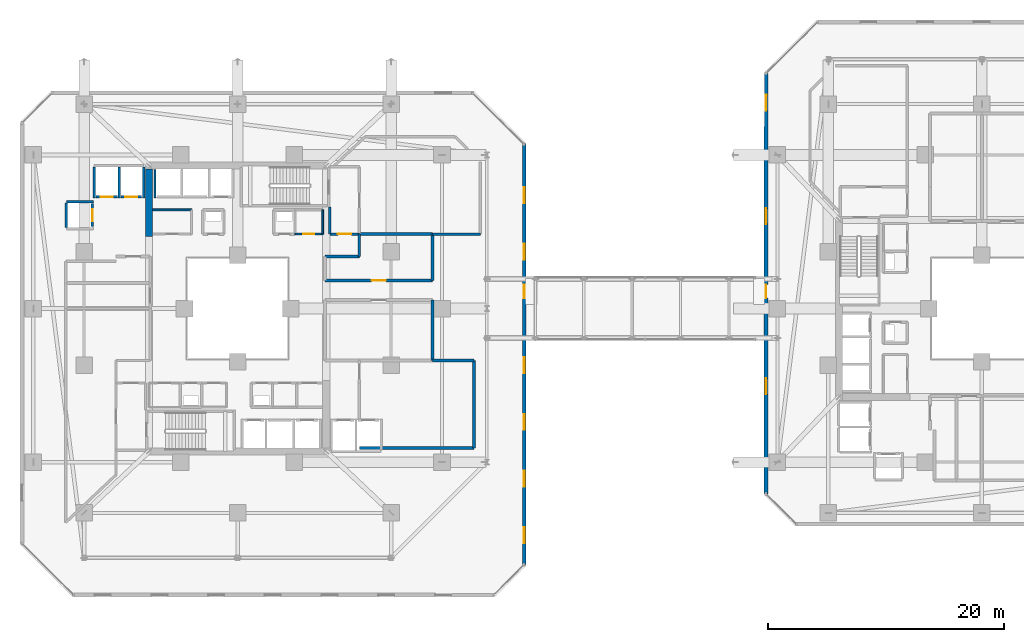
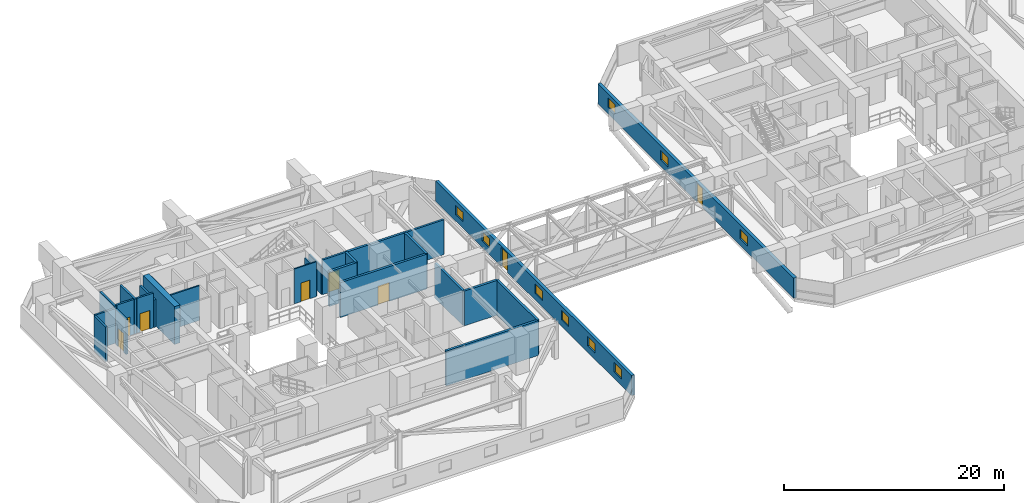
# One storey, part 31 of 38: 27 walls, 9 windows, 8 doors, 17 openings.
"""IFC4 building model written with IfcOpenShell, lengths in metres."""

from ifc_helpers import new_model, si_unit, direction, frame, frame_2d, origin, place, context, subcontext, project, spatial, rectangle, extrude, material, layer, layer_set, type_object, element, fill, save


model = new_model("IFC4")

# Units and contexts
model_context = context("Model", 3, precision=1e-05, world=origin(), true_north=direction((0.0, 1.0)))
body_context = subcontext(model_context, "Body", "Model", "MODEL_VIEW")
ifc_project = project(units=[si_unit("LENGTHUNIT", "METRE"), si_unit("AREAUNIT", "SQUARE_METRE"), si_unit("VOLUMEUNIT", "CUBIC_METRE"), si_unit("PLANEANGLEUNIT", "RADIAN"), si_unit("MASSUNIT", "GRAM", prefix="KILO")], contexts=[model_context])

# Site, building, storey
site_placement = place(None, origin())
site = spatial("IfcSite", under=ifc_project, at=site_placement, CompositionType="ELEMENT")
building_placement = place(site_placement, origin())
building = spatial("IfcBuilding", under=site, at=building_placement, Name="Thornwick Lancets Civic Towers", CompositionType="ELEMENT")
storey_placement = place(building_placement, frame((0.0, 0.0, 71.699951171875)))
storey = spatial("IfcBuildingStorey", under=building, at=storey_placement, Name="L18", CompositionType="ELEMENT", Elevation=71.699951171875)

# Wall, opening, door
ifc_material_1 = material(Name="Concrete blockwork C40/50", Category="masonry")
ifc_layer_1 = layer(ifc_material_1, 0.199951171875, Name="Concrete blockwork C40/50")
ifc_layer_set_1 = layer_set([ifc_layer_1], Name="Concrete blockwork C40/50")
wall_type_1 = type_object("IfcWallType", Name="WALL_COMP_200", PredefinedType="STANDARD", material=ifc_layer_set_1)
wall_1_placement = place(storey_placement, frame((17.3701171875, 36.449951171875, 0.0), z_axis=(0.0, 0.0, 1.0), x_axis=(-1.0, 0.0, 0.0)))
wall_1 = element("IfcWall", 1, at=wall_1_placement, inside=storey, type_object=wall_type_1, Name="L18 Hoistway Front Wall PL-AM1", PredefinedType="STANDARD", context=body_context, shape_type="SweptSolid", body=[
    extrude(rectangle(XDim=1.740234375, YDim=0.199951171875, at=frame_2d((0.8701171875, 0.0))), origin(), (0.0, 0.0, 1.0), 3.860107421875),
])
opening_1_placement = place(wall_1_placement, frame((0.360107421875, 0.0, 0.0)))
opening_1 = element("IfcOpeningElement", 2, at=opening_1_placement, cuts=wall_1, Name="Opening LD-PL-AM1", PredefinedType="OPENING", context=body_context, shape_type="SweptSolid", body=[
    extrude(rectangle(XDim=1.02001953125, YDim=2.06005859375, at=frame_2d((0.510009765625, 1.030029296875))), frame((0.0, 0.10986328125, 0.0), z_axis=(0.0, -1.0, 0.0), x_axis=(1.0, 0.0, 0.0)), (0.0, 0.0, 1.0), 0.219970703125),
])
ifc_material_2 = material(Name="Brushed bronze stainless steel", Category="steel")
door_type_1 = type_object("IfcDoorType", Name="DOOR_LIFT_SLIDE", OperationType="SLIDING_TO_LEFT", PredefinedType="DOOR", material=ifc_material_2)
door_1_placement = place(opening_1_placement, origin())
door_1 = element("IfcDoor", 3, at=door_1_placement, inside=storey, type_object=door_type_1, Name="L18 Sliding Lift Landing Door LD-PL-AM1", OperationType="SLIDING_TO_LEFT", OverallHeight=2.06005859375, OverallWidth=1.02001953125, PredefinedType="DOOR", context=body_context, shape_type="SweptSolid", body=[
    extrude(rectangle(XDim=1.02001953125, YDim=2.06005859375, at=frame_2d((0.510009765625, 1.030029296875))), frame((0.0, 0.02490234375, 0.0), z_axis=(0.0, -1.0, 0.0), x_axis=(1.0, 0.0, 0.0)), (0.0, 0.0, 1.0), 0.050048828125),
])
fill(opening_1, door_1)

wall_2_placement = place(storey_placement, frame((15.320068359375, 36.449951171875, 0.0), z_axis=(0.0, 0.0, 1.0), x_axis=(-1.0, 0.0, 0.0)))
wall_2 = element("IfcWall", 4, at=wall_2_placement, inside=storey, type_object=wall_type_1, Name="L18 Hoistway Front Wall PL-AM2", PredefinedType="STANDARD", context=body_context, shape_type="SweptSolid", body=[
    extrude(rectangle(XDim=1.7900390625, YDim=0.199951171875, at=frame_2d((0.89501953125, 0.0))), origin(), (0.0, 0.0, 1.0), 3.860107421875),
])
opening_2_placement = place(wall_2_placement, frame((0.385009765625, 0.0, 0.0)))
opening_2 = element("IfcOpeningElement", 5, at=opening_2_placement, cuts=wall_2, Name="Opening LD-PL-AM2", PredefinedType="OPENING", context=body_context, shape_type="SweptSolid", body=[
    extrude(rectangle(XDim=1.02001953125, YDim=2.06005859375, at=frame_2d((0.510009765625, 1.030029296875))), frame((0.0, 0.10986328125, 0.0), z_axis=(0.0, -1.0, 0.0), x_axis=(1.0, 0.0, 0.0)), (0.0, 0.0, 1.0), 0.219970703125),
])
door_2_placement = place(opening_2_placement, origin())
door_2 = element("IfcDoor", 6, at=door_2_placement, inside=storey, type_object=door_type_1, Name="L18 Sliding Lift Landing Door LD-PL-AM2", OperationType="SLIDING_TO_LEFT", OverallHeight=2.06005859375, OverallWidth=1.02001953125, PredefinedType="DOOR", context=body_context, shape_type="SweptSolid", body=[
    extrude(rectangle(XDim=1.02001953125, YDim=2.06005859375, at=frame_2d((0.510009765625, 1.030029296875))), frame((0.0, 0.02490234375, 0.0), z_axis=(0.0, -1.0, 0.0), x_axis=(1.0, 0.0, 0.0)), (0.0, 0.0, 1.0), 0.050048828125),
])
fill(opening_2, door_2)

wall_3_placement = place(storey_placement, frame((13.199951171875, 33.929931640625, 0.0), z_axis=(0.0, 0.0, 1.0), x_axis=(0.0, 1.0, 0.0)))
wall_3 = element("IfcWall", 7, at=wall_3_placement, inside=storey, type_object=wall_type_1, Name="L18 Hoistway Front Wall PL-AM3", PredefinedType="STANDARD", context=body_context, shape_type="SweptSolid", body=[
    extrude(rectangle(XDim=1.940185546875, YDim=0.199951171875, at=frame_2d((0.97021484375, 0.0))), origin(), (0.0, 0.0, 1.0), 3.860107421875),
])
opening_3_placement = place(wall_3_placement, frame((0.4599609375, 0.0, 0.0)))
opening_3 = element("IfcOpeningElement", 8, at=opening_3_placement, cuts=wall_3, Name="Opening LD-PL-AM3", PredefinedType="OPENING", context=body_context, shape_type="SweptSolid", body=[
    extrude(rectangle(XDim=1.02001953125, YDim=2.06005859375, at=frame_2d((0.510009765625, 1.030029296875))), frame((0.0, 0.10986328125, 0.0), z_axis=(0.0, -1.0, 0.0), x_axis=(1.0, 0.0, 0.0)), (0.0, 0.0, 1.0), 0.219970703125),
])
door_3_placement = place(opening_3_placement, origin())
door_3 = element("IfcDoor", 9, at=door_3_placement, inside=storey, type_object=door_type_1, Name="L18 Sliding Lift Landing Door LD-PL-AM3", OperationType="SLIDING_TO_LEFT", OverallHeight=2.06005859375, OverallWidth=1.02001953125, PredefinedType="DOOR", context=body_context, shape_type="SweptSolid", body=[
    extrude(rectangle(XDim=1.02001953125, YDim=2.06005859375, at=frame_2d((0.510009765625, 1.030029296875))), frame((0.0, 0.02490234375, 0.0), z_axis=(0.0, -1.0, 0.0), x_axis=(1.0, 0.0, 0.0)), (0.0, 0.0, 1.0), 0.050048828125),
])
fill(opening_3, door_3)

# Walls
wall_4_placement = place(storey_placement, frame((18.5, 36.35205078125, 0.0), z_axis=(0.0, 0.0, 1.0), x_axis=(0.0, 1.0, 0.0)))
element("IfcWall", 10, at=wall_4_placement, inside=storey, type_object=wall_type_1, Name="L18 Hoistway Shaft Wall PL-AH3 W", PredefinedType="STANDARD", context=body_context, shape_type="SweptSolid", body=[
    extrude(rectangle(XDim=2.43603515625, YDim=0.199951171875, at=frame_2d((1.218017578125, 0.0))), origin(), (0.0, 0.0, 1.0), 3.860107421875),
])
wall_5_placement = place(storey_placement, frame((17.550048828125, 36.35205078125, 0.0), z_axis=(0.0, 0.0, 1.0), x_axis=(0.0, 1.0, 0.0)))
element("IfcWall", 11, at=wall_5_placement, inside=storey, type_object=wall_type_1, Name="L18 Hoistway Shaft Wall PL-AM1 E", PredefinedType="STANDARD", context=body_context, shape_type="SweptSolid", body=[
    extrude(rectangle(XDim=2.635986328125, YDim=0.199951171875, at=frame_2d((1.31787109375, 0.0))), origin(), (0.0, 0.0, 1.0), 3.06494140625),
])
for number, where, z_axis, x_axis, name in (
    (12, (15.47509765625, 36.35205078125, 0.0), (0.0, 0.0, 1.0), (0.0, 1.0, 0.0), "L18 Hoistway Shaft Wall PL-AM1 W"),
    (13, (13.35009765625, 36.35205078125, 0.0), (0.0, 0.0, 1.0), (0.0, 1.0, 0.0), "L18 Hoistway Shaft Wall PL-AM2 W"),
):
    element("IfcWall", number, at=place(storey_placement, frame(where, z_axis=z_axis, x_axis=x_axis)), inside=storey, type_object=wall_type_1, Name=name, PredefinedType="STANDARD", context=body_context, shape_type="SweptSolid", body=[
        extrude(rectangle(XDim=2.635986328125, YDim=0.199951171875, at=frame_2d((1.31787109375, 0.0))), origin(), (0.0, 0.0, 1.0), 3.860107421875),
    ])
wall_6_placement = place(storey_placement, frame((11.001953125, 36.050048828125, 0.0), z_axis=(0.0, 0.0, 1.0), x_axis=(1.0, 0.0, 0.0)))
element("IfcWall", 14, at=wall_6_placement, inside=storey, type_object=wall_type_1, Name="L18 Hoistway Shaft Wall PL-AM3 N", PredefinedType="STANDARD", context=body_context, shape_type="SweptSolid", body=[
    extrude(rectangle(XDim=2.296142578125, YDim=0.199951171875, at=frame_2d((1.14794921875, 0.0))), origin(), (0.0, 0.0, 1.0), 3.860107421875),
])
wall_7_placement = place(storey_placement, frame((11.0, 33.862060546875, 0.0), z_axis=(0.0, 0.0, 1.0), x_axis=(0.0, 1.0, 0.0)))
element("IfcWall", 15, at=wall_7_placement, inside=storey, type_object=wall_type_1, Name="L18 Hoistway Shaft Wall PL-AM3 W", PredefinedType="STANDARD", context=body_context, shape_type="SweptSolid", body=[
    extrude(rectangle(XDim=2.075927734375, YDim=0.199951171875, at=frame_2d((1.0380859375, 0.0))), origin(), (0.0, 0.0, 1.0), 3.860107421875),
])

# Wall, opening, door
wall_8_placement = place(storey_placement, frame((33.300048828125, 33.300048828125, 0.0), z_axis=(0.0, 0.0, 1.0), x_axis=(1.0, 0.0, 0.0)))
wall_8 = element("IfcWall", 16, at=wall_8_placement, inside=storey, type_object=wall_type_1, Name="L18 Partition L18-A-FFLOB2 E1", PredefinedType="STANDARD", context=body_context, shape_type="SweptSolid", body=[
    extrude(rectangle(XDim=2.5, YDim=0.199951171875, at=frame_2d((1.25, 0.0))), origin(), (0.0, 0.0, 1.0), 3.860107421875),
])
opening_4_placement = place(wall_8_placement, frame((0.675048828125, 0.0, 0.0)))
opening_4 = element("IfcOpeningElement", 17, at=opening_4_placement, cuts=wall_8, Name="Opening D-L18-0850", PredefinedType="OPENING", context=body_context, shape_type="SweptSolid", body=[
    extrude(rectangle(XDim=1.14990234375, YDim=2.10009765625, at=frame_2d((0.574951171875, 1.050048828125))), frame((0.0, 0.10986328125, 0.0), z_axis=(0.0, -1.0, 0.0), x_axis=(1.0, 0.0, 0.0)), (0.0, 0.0, 1.0), 0.219970703125),
])
ifc_material_3 = material(Name="Glazed fire-resisting steel", Category="steel")
door_type_2 = type_object("IfcDoorType", Name="DOOR_LOBBY_FD60", OperationType="NOTDEFINED", PredefinedType="DOOR", material=ifc_material_3)
door_4_placement = place(opening_4_placement, origin())
door_4 = element("IfcDoor", 18, at=door_4_placement, inside=storey, type_object=door_type_2, Name="L18 North Firefighting Lobby 2 Door", OperationType="SINGLE_SWING_LEFT", OverallHeight=2.10009765625, OverallWidth=1.14990234375, PredefinedType="DOOR", context=body_context, shape_type="SweptSolid", body=[
    extrude(rectangle(XDim=1.14990234375, YDim=2.10009765625, at=frame_2d((0.574951171875, 1.050048828125))), frame((0.0, 0.02490234375, 0.0), z_axis=(0.0, -1.0, 0.0), x_axis=(1.0, 0.0, 0.0)), (0.0, 0.0, 1.0), 0.050048828125),
])
fill(opening_4, door_4)

# Walls
wall_9_placement = place(storey_placement, frame((33.300048828125, 35.60009765625, 0.0), z_axis=(0.0, 0.0, 1.0), x_axis=(0.0, -1.0, 0.0)))
element("IfcWall", 19, at=wall_9_placement, inside=storey, type_object=wall_type_1, Name="L18 Partition L18-A-FFLOB2 E4", PredefinedType="STANDARD", context=body_context, shape_type="SweptSolid", body=[
    extrude(rectangle(XDim=2.300048828125, YDim=0.199951171875, at=frame_2d((1.14990234375, 0.0))), origin(), (0.0, 0.0, 1.0), 3.06494140625),
])
wall_10_placement = place(storey_placement, frame((46.050048828125, 33.300048828125, 0.0), z_axis=(0.0, 0.0, 1.0), x_axis=(-1.0, 0.0, 0.0)))
element("IfcWall", 20, at=wall_10_placement, inside=storey, type_object=wall_type_1, Name="L18 Partition L18-A-REF2 E10", PredefinedType="STANDARD", context=body_context, shape_type="SweptSolid", body=[
    extrude(rectangle(XDim=4.050048828125, YDim=0.199951171875, at=frame_2d((2.02490234375, 0.0))), origin(), (0.0, 0.0, 1.0), 3.860107421875),
])
ifc_layer_2 = layer(ifc_material_1, 0.239990234375, Name="Concrete blockwork C40/50")
ifc_layer_set_2 = layer_set([ifc_layer_2], Name="Concrete blockwork C40/50")
wall_type_2 = type_object("IfcWallType", Name="WALL_COMP_240", PredefinedType="STANDARD", material=ifc_layer_set_2)
wall_11_placement = place(storey_placement, frame((42.0, 27.719970703125, 0.0), z_axis=(0.0, 0.0, 1.0), x_axis=(0.0, -1.0, 0.0)))
element("IfcWall", 21, at=wall_11_placement, inside=storey, type_object=wall_type_2, Name="L18 Partition L18-A-PL-SMK E2", PredefinedType="STANDARD", context=body_context, shape_type="SweptSolid", body=[
    extrude(rectangle(XDim=5.119873046875, YDim=0.239990234375, at=frame_2d((2.56005859375, 0.0))), origin(), (0.0, 0.0, 1.0), 3.860107421875),
])
wall_12_placement = place(storey_placement, frame((32.89990234375, 31.39990234375, 0.0), z_axis=(0.0, 0.0, 1.0), x_axis=(1.0, 0.0, 0.0)))
element("IfcWall", 22, at=wall_12_placement, inside=storey, type_object=wall_type_2, Name="L18 Partition L18-A-PL-PRS E1", PredefinedType="STANDARD", context=body_context, shape_type="SweptSolid", body=[
    extrude(rectangle(XDim=2.900146484375, YDim=0.239990234375, at=frame_2d((1.4501953125, 0.0))), origin(), (0.0, 0.0, 1.0), 3.860107421875),
])
wall_13_placement = place(storey_placement, frame((35.800048828125, 31.39990234375, 0.0), z_axis=(0.0, 0.0, 1.0), x_axis=(0.0, 1.0, 0.0)))
element("IfcWall", 23, at=wall_13_placement, inside=storey, type_object=wall_type_2, Name="L18 Partition L18-A-PL-PRS E2", PredefinedType="STANDARD", context=body_context, shape_type="SweptSolid", body=[
    extrude(rectangle(XDim=1.900146484375, YDim=0.239990234375, at=frame_2d((0.9501953125, 0.0))), origin(), (0.0, 0.0, 1.0), 3.860107421875),
])
wall_14_placement = place(storey_placement, frame((35.800048828125, 33.300048828125, 0.0), z_axis=(0.0, 0.0, 1.0), x_axis=(1.0, 0.0, 0.0)))
element("IfcWall", 24, at=wall_14_placement, inside=storey, type_object=wall_type_2, Name="L18 Partition L18-A-PL-PRS E3", PredefinedType="STANDARD", context=body_context, shape_type="SweptSolid", body=[
    extrude(rectangle(XDim=6.199951171875, YDim=0.239990234375, at=frame_2d((3.10009765625, 0.0))), origin(), (0.0, 0.0, 1.0), 3.860107421875),
])
wall_15_placement = place(storey_placement, frame((42.0, 33.300048828125, 0.0), z_axis=(0.0, 0.0, 1.0), x_axis=(0.0, -1.0, 0.0)))
element("IfcWall", 25, at=wall_15_placement, inside=storey, type_object=wall_type_2, Name="L18 Partition L18-A-PL-PRS E4", PredefinedType="STANDARD", context=body_context, shape_type="SweptSolid", body=[
    extrude(rectangle(XDim=3.920166015625, YDim=0.239990234375, at=frame_2d((1.9599609375, 0.0))), origin(), (0.0, 0.0, 1.0), 3.860107421875),
])

# Wall, opening, door
wall_16_placement = place(storey_placement, frame((42.0, 29.3798828125, 0.0), z_axis=(0.0, 0.0, 1.0), x_axis=(-1.0, 0.0, 0.0)))
wall_16 = element("IfcWall", 26, at=wall_16_placement, inside=storey, type_object=wall_type_2, Name="L18 Partition L18-A-PL-PRS E5", PredefinedType="STANDARD", context=body_context, shape_type="SweptSolid", body=[
    extrude(rectangle(XDim=9.10009765625, YDim=0.239990234375, at=frame_2d((4.550048828125, 0.0))), origin(), (0.0, 0.0, 1.0), 3.860107421875),
])
opening_5_placement = place(wall_16_placement, frame((3.949951171875, 0.0, 0.0)))
opening_5 = element("IfcOpeningElement", 27, at=opening_5_placement, cuts=wall_16, Name="Opening D-L18-0874", PredefinedType="OPENING", context=body_context, shape_type="SweptSolid", body=[
    extrude(rectangle(XDim=1.199951171875, YDim=2.10009765625, at=frame_2d((0.60009765625, 1.050048828125))), frame((0.0, 0.1298828125, 0.0), z_axis=(0.0, -1.0, 0.0), x_axis=(1.0, 0.0, 0.0)), (0.0, 0.0, 1.0), 0.260009765625),
])
ifc_material_4 = material(Name="Steel plant room doorset", Category="steel")
door_type_3 = type_object("IfcDoorType", Name="DOOR_PLANT_1200", OperationType="NOTDEFINED", PredefinedType="DOOR", material=ifc_material_4)
door_5_placement = place(opening_5_placement, origin())
door_5 = element("IfcDoor", 28, at=door_5_placement, inside=storey, type_object=door_type_3, Name="L18 Tower A Pressurisation Air Handling Plant Room Door", OperationType="SINGLE_SWING_LEFT", OverallHeight=2.10009765625, OverallWidth=1.199951171875, PredefinedType="DOOR", context=body_context, shape_type="SweptSolid", body=[
    extrude(rectangle(XDim=1.199951171875, YDim=2.10009765625, at=frame_2d((0.60009765625, 1.050048828125))), frame((0.0, 0.02490234375, 0.0), z_axis=(0.0, -1.0, 0.0), x_axis=(1.0, 0.0, 0.0)), (0.0, 0.0, 1.0), 0.050048828125),
])
fill(opening_5, door_5)

# Walls
wall_17_placement = place(storey_placement, frame((42.0, 22.60009765625, 0.0), z_axis=(0.0, 0.0, 1.0), x_axis=(1.0, 0.0, 0.0)))
element("IfcWall", 29, at=wall_17_placement, inside=storey, type_object=wall_type_2, Name="L18 Partition L18-A-PL-CHL E3", PredefinedType="STANDARD", context=body_context, shape_type="SweptSolid", body=[
    extrude(rectangle(XDim=3.5, YDim=0.239990234375, at=frame_2d((1.75, 0.0))), origin(), (0.0, 0.0, 1.0), 3.860107421875),
])
wall_18_placement = place(storey_placement, frame((45.5, 22.60009765625, 0.0), z_axis=(0.0, 0.0, 1.0), x_axis=(0.0, -1.0, 0.0)))
element("IfcWall", 30, at=wall_18_placement, inside=storey, type_object=wall_type_2, Name="L18 Partition L18-A-PL-CHL E4", PredefinedType="STANDARD", context=body_context, shape_type="SweptSolid", body=[
    extrude(rectangle(XDim=7.400146484375, YDim=0.239990234375, at=frame_2d((3.7001953125, 0.0))), origin(), (0.0, 0.0, 1.0), 3.860107421875),
])
wall_19_placement = place(storey_placement, frame((45.5, 15.199951171875, 0.0), z_axis=(0.0, 0.0, 1.0), x_axis=(-1.0, 0.0, 0.0)))
element("IfcWall", 31, at=wall_19_placement, inside=storey, type_object=wall_type_2, Name="L18 Partition L18-A-PL-CHL E5", PredefinedType="STANDARD", context=body_context, shape_type="SweptSolid", body=[
    extrude(rectangle(XDim=9.699951171875, YDim=0.239990234375, at=frame_2d((4.85009765625, 0.0))), origin(), (0.0, 0.0, 1.0), 3.860107421875),
])
ifc_material_5 = material(Name="Concrete C60/75", Category="concrete")
ifc_layer_3 = layer(ifc_material_5, 0.60009765625, Name="Concrete C60/75")
ifc_layer_set_3 = layer_set([ifc_layer_3], Name="Concrete C60/75")
wall_type_3 = type_object("IfcWallType", Name="WALL_CORE_600", PredefinedType="SHEAR", material=ifc_layer_set_3)
wall_20_placement = place(storey_placement, frame((18.0, 33.10009765625, 0.0), z_axis=(0.0, 0.0, 1.0), x_axis=(0.0, 1.0, 0.0)))
element("IfcWall", 32, at=wall_20_placement, inside=storey, type_object=wall_type_3, Name="L18 Split Core A2 Shear Wall W", PredefinedType="SHEAR", context=body_context, shape_type="SweptSolid", body=[
    extrude(rectangle(XDim=5.699951171875, YDim=0.60009765625, at=frame_2d((2.85009765625, 0.0))), origin(), (0.0, 0.0, 1.0), 4.199951171875),
])

# Wall, openings, door, windows
ifc_material_6 = material(Name="Insulated buff terracotta rainscreen on concrete C40/50", Category="masonry")
ifc_layer_4 = layer(ifc_material_6, 0.320068359375, Name="Insulated buff terracotta rainscreen on concrete C40/50")
ifc_layer_set_4 = layer_set([ifc_layer_4], Name="Insulated buff terracotta rainscreen on concrete C40/50")
wall_type_4 = type_object("IfcWallType", Name="WALL_EXT_TERRA_320", PredefinedType="STANDARD", material=ifc_layer_set_4)
wall_21_placement = place(storey_placement, frame((49.764892578125, 5.31884765625, 0.0), z_axis=(0.0, 0.0, 1.0), x_axis=(-0.000164732205, 0.999999986432, 0.0)))
wall_21 = element("IfcWall", 33, at=wall_21_placement, inside=storey, type_object=wall_type_4, Name="L18 Tower A Terracotta Facade Wall E2", PredefinedType="STANDARD", context=body_context, shape_type="SweptSolid", body=[
    extrude(rectangle(XDim=35.569091796875, YDim=0.320068359375, at=frame_2d((17.78466796875, 0.0))), origin(), (0.0, 0.0, 1.0), 2.239990234375),
])
opening_6_placement = place(wall_21_placement, frame((22.55615234375, 0.0, 0.0)))
opening_6 = element("IfcOpeningElement", 34, at=opening_6_placement, cuts=wall_21, Name="Opening D-BRG-L18-A", PredefinedType="OPENING", context=body_context, shape_type="SweptSolid", body=[
    extrude(rectangle(XDim=1.14990234375, YDim=2.10009765625, at=frame_2d((0.574951171875, 1.050048828125))), frame((0.0, 0.169921875, 0.0), z_axis=(0.0, -1.0, 0.0), x_axis=(1.0, 0.0, 0.0)), (0.0, 0.0, 1.0), 0.340087890625),
])
opening_7_placement = place(wall_21_placement, frame((1.800048828125, 0.0, 0.719970703125)))
opening_7 = element("IfcOpeningElement", 35, at=opening_7_placement, cuts=wall_21, Name="Opening WL-03", PredefinedType="OPENING", context=body_context, shape_type="SweptSolid", body=[
    extrude(rectangle(XDim=1.35009765625, YDim=1.050048828125, at=frame_2d((0.675048828125, 0.52490234375))), frame((0.0, 0.169921875, 0.0), z_axis=(0.0, -1.0, 0.0), x_axis=(1.0, 0.0, 0.0)), (0.0, 0.0, 1.0), 0.340087890625),
])
opening_8_placement = place(wall_21_placement, frame((6.60009765625, 0.0, 0.719970703125)))
opening_8 = element("IfcOpeningElement", 36, at=opening_8_placement, cuts=wall_21, Name="Opening WL-03", PredefinedType="OPENING", context=body_context, shape_type="SweptSolid", body=[
    extrude(rectangle(XDim=1.35009765625, YDim=1.050048828125, at=frame_2d((0.675048828125, 0.52490234375))), frame((0.0, 0.169921875, 0.0), z_axis=(0.0, -1.0, 0.0), x_axis=(1.0, 0.0, 0.0)), (0.0, 0.0, 1.0), 0.340087890625),
])
opening_9_placement = place(wall_21_placement, frame((11.39990234375, 0.0, 0.719970703125)))
opening_9 = element("IfcOpeningElement", 37, at=opening_9_placement, cuts=wall_21, Name="Opening WL-03", PredefinedType="OPENING", context=body_context, shape_type="SweptSolid", body=[
    extrude(rectangle(XDim=1.35009765625, YDim=1.050048828125, at=frame_2d((0.675048828125, 0.52490234375))), frame((0.0, 0.169921875, 0.0), z_axis=(0.0, -1.0, 0.0), x_axis=(1.0, 0.0, 0.0)), (0.0, 0.0, 1.0), 0.340087890625),
])
opening_10_placement = place(wall_21_placement, frame((16.199951171875, 0.0, 0.719970703125)))
opening_10 = element("IfcOpeningElement", 38, at=opening_10_placement, cuts=wall_21, Name="Opening WL-03", PredefinedType="OPENING", context=body_context, shape_type="SweptSolid", body=[
    extrude(rectangle(XDim=1.35009765625, YDim=1.050048828125, at=frame_2d((0.675048828125, 0.52490234375))), frame((0.0, 0.169921875, 0.0), z_axis=(0.0, -1.0, 0.0), x_axis=(1.0, 0.0, 0.0)), (0.0, 0.0, 1.0), 0.340087890625),
])
opening_11_placement = place(wall_21_placement, frame((25.800048828125, 0.0, 0.719970703125)))
opening_11 = element("IfcOpeningElement", 39, at=opening_11_placement, cuts=wall_21, Name="Opening WL-03", PredefinedType="OPENING", context=body_context, shape_type="SweptSolid", body=[
    extrude(rectangle(XDim=1.35009765625, YDim=1.050048828125, at=frame_2d((0.675048828125, 0.52490234375))), frame((0.0, 0.169921875, 0.0), z_axis=(0.0, -1.0, 0.0), x_axis=(1.0, 0.0, 0.0)), (0.0, 0.0, 1.0), 0.340087890625),
])
opening_12_placement = place(wall_21_placement, frame((30.60009765625, 0.0, 0.719970703125)))
opening_12 = element("IfcOpeningElement", 40, at=opening_12_placement, cuts=wall_21, Name="Opening WL-03", PredefinedType="OPENING", context=body_context, shape_type="SweptSolid", body=[
    extrude(rectangle(XDim=1.35009765625, YDim=1.050048828125, at=frame_2d((0.675048828125, 0.52490234375))), frame((0.0, 0.169921875, 0.0), z_axis=(0.0, -1.0, 0.0), x_axis=(1.0, 0.0, 0.0)), (0.0, 0.0, 1.0), 0.340087890625),
])
ifc_material_7 = material(Name="Fire-resisting steel doorset", Category="steel")
door_type_4 = type_object("IfcDoorType", Name="DOOR_BRIDGE_FD120", OperationType="DOUBLE_DOOR_SINGLE_SWING", PredefinedType="DOOR", material=ifc_material_7)
door_6_placement = place(opening_6_placement, origin())
door_6 = element("IfcDoor", 41, at=door_6_placement, inside=storey, type_object=door_type_4, Name="L18 Tower A Skybridge Escape Fire Door", OperationType="DOUBLE_DOOR_SINGLE_SWING", OverallHeight=2.10009765625, OverallWidth=1.14990234375, PredefinedType="DOOR", context=body_context, shape_type="SweptSolid", body=[
    extrude(rectangle(XDim=1.14990234375, YDim=2.10009765625, at=frame_2d((0.574951171875, 1.050048828125))), frame((0.0, 0.02490234375, 0.0), z_axis=(0.0, -1.0, 0.0), x_axis=(1.0, 0.0, 0.0)), (0.0, 0.0, 1.0), 0.050048828125),
])
fill(opening_6, door_6)
ifc_material_8 = material(Name="Clear low-e double glazing clerestory lancet", Category="glass")
window_type = type_object("IfcWindowType", Name="WIN_LANCET_1350", PartitioningType="SINGLE_PANEL", PredefinedType="WINDOW", material=ifc_material_8)
window_1_placement = place(opening_7_placement, origin())
window_1 = element("IfcWindow", 42, at=window_1_placement, inside=storey, type_object=window_type, Name="L18 Tower A Staggered Lancet Window E2-1", OverallHeight=1.050048828125, OverallWidth=1.35009765625, PartitioningType="SINGLE_PANEL", PredefinedType="WINDOW", context=body_context, shape_type="SweptSolid", body=[
    extrude(rectangle(XDim=1.35009765625, YDim=1.050048828125, at=frame_2d((0.675048828125, 0.52490234375))), frame((0.0, 0.030029296875, 0.0), z_axis=(0.0, -1.0, 0.0), x_axis=(1.0, 0.0, 0.0)), (0.0, 0.0, 1.0), 0.06005859375),
])
fill(opening_7, window_1)
window_2_placement = place(opening_8_placement, origin())
window_2 = element("IfcWindow", 43, at=window_2_placement, inside=storey, type_object=window_type, Name="L18 Tower A Staggered Lancet Window E2-2", OverallHeight=1.050048828125, OverallWidth=1.35009765625, PartitioningType="SINGLE_PANEL", PredefinedType="WINDOW", context=body_context, shape_type="SweptSolid", body=[
    extrude(rectangle(XDim=1.35009765625, YDim=1.050048828125, at=frame_2d((0.675048828125, 0.52490234375))), frame((0.0, 0.030029296875, 0.0), z_axis=(0.0, -1.0, 0.0), x_axis=(1.0, 0.0, 0.0)), (0.0, 0.0, 1.0), 0.06005859375),
])
fill(opening_8, window_2)
window_3_placement = place(opening_9_placement, origin())
window_3 = element("IfcWindow", 44, at=window_3_placement, inside=storey, type_object=window_type, Name="L18 Tower A Staggered Lancet Window E2-3", OverallHeight=1.050048828125, OverallWidth=1.35009765625, PartitioningType="SINGLE_PANEL", PredefinedType="WINDOW", context=body_context, shape_type="SweptSolid", body=[
    extrude(rectangle(XDim=1.35009765625, YDim=1.050048828125, at=frame_2d((0.675048828125, 0.52490234375))), frame((0.0, 0.030029296875, 0.0), z_axis=(0.0, -1.0, 0.0), x_axis=(1.0, 0.0, 0.0)), (0.0, 0.0, 1.0), 0.06005859375),
])
fill(opening_9, window_3)
window_4_placement = place(opening_10_placement, origin())
window_4 = element("IfcWindow", 45, at=window_4_placement, inside=storey, type_object=window_type, Name="L18 Tower A Staggered Lancet Window E2-4", OverallHeight=1.050048828125, OverallWidth=1.35009765625, PartitioningType="SINGLE_PANEL", PredefinedType="WINDOW", context=body_context, shape_type="SweptSolid", body=[
    extrude(rectangle(XDim=1.35009765625, YDim=1.050048828125, at=frame_2d((0.675048828125, 0.52490234375))), frame((0.0, 0.030029296875, 0.0), z_axis=(0.0, -1.0, 0.0), x_axis=(1.0, 0.0, 0.0)), (0.0, 0.0, 1.0), 0.06005859375),
])
fill(opening_10, window_4)
window_5_placement = place(opening_11_placement, origin())
window_5 = element("IfcWindow", 46, at=window_5_placement, inside=storey, type_object=window_type, Name="L18 Tower A Staggered Lancet Window E2-5", OverallHeight=1.050048828125, OverallWidth=1.35009765625, PartitioningType="SINGLE_PANEL", PredefinedType="WINDOW", context=body_context, shape_type="SweptSolid", body=[
    extrude(rectangle(XDim=1.35009765625, YDim=1.050048828125, at=frame_2d((0.675048828125, 0.52490234375))), frame((0.0, 0.030029296875, 0.0), z_axis=(0.0, -1.0, 0.0), x_axis=(1.0, 0.0, 0.0)), (0.0, 0.0, 1.0), 0.06005859375),
])
fill(opening_11, window_5)
window_6_placement = place(opening_12_placement, origin())
window_6 = element("IfcWindow", 47, at=window_6_placement, inside=storey, type_object=window_type, Name="L18 Tower A Staggered Lancet Window E2-6", OverallHeight=1.050048828125, OverallWidth=1.35009765625, PartitioningType="SINGLE_PANEL", PredefinedType="WINDOW", context=body_context, shape_type="SweptSolid", body=[
    extrude(rectangle(XDim=1.35009765625, YDim=1.050048828125, at=frame_2d((0.675048828125, 0.52490234375))), frame((0.0, 0.030029296875, 0.0), z_axis=(0.0, -1.0, 0.0), x_axis=(1.0, 0.0, 0.0)), (0.0, 0.0, 1.0), 0.06005859375),
])
fill(opening_12, window_6)

wall_22_placement = place(storey_placement, frame((70.240966796875, 46.887939453125, 0.0), z_axis=(0.0, 0.0, 1.0), x_axis=(-0.000164732205, -0.999999986432, 0.0)))
wall_22 = element("IfcWall", 48, at=wall_22_placement, inside=storey, type_object=wall_type_4, Name="L18 Tower B Terracotta Facade Wall E6", PredefinedType="STANDARD", context=body_context, shape_type="SweptSolid", body=[
    extrude(rectangle(XDim=35.569091796875, YDim=0.320068359375, at=frame_2d((17.78466796875, 0.0))), origin(), (0.0, 0.0, 1.0), 2.239990234375),
])
opening_13_placement = place(wall_22_placement, frame((17.863037109375, 0.0, 0.0)))
opening_13 = element("IfcOpeningElement", 49, at=opening_13_placement, cuts=wall_22, Name="Opening D-BRG-L18-B", PredefinedType="OPENING", context=body_context, shape_type="SweptSolid", body=[
    extrude(rectangle(XDim=1.14990234375, YDim=2.10009765625, at=frame_2d((0.574951171875, 1.050048828125))), frame((0.0, 0.169921875, 0.0), z_axis=(0.0, -1.0, 0.0), x_axis=(1.0, 0.0, 0.0)), (0.0, 0.0, 1.0), 0.340087890625),
])
opening_14_placement = place(wall_22_placement, frame((1.800048828125, 0.0, 0.719970703125)))
opening_14 = element("IfcOpeningElement", 50, at=opening_14_placement, cuts=wall_22, Name="Opening WL-03", PredefinedType="OPENING", context=body_context, shape_type="SweptSolid", body=[
    extrude(rectangle(XDim=1.35009765625, YDim=1.050048828125, at=frame_2d((0.675048828125, 0.52490234375))), frame((0.0, 0.169921875, 0.0), z_axis=(0.0, -1.0, 0.0), x_axis=(1.0, 0.0, 0.0)), (0.0, 0.0, 1.0), 0.340087890625),
])
opening_15_placement = place(wall_22_placement, frame((11.39990234375, 0.0, 0.719970703125)))
opening_15 = element("IfcOpeningElement", 51, at=opening_15_placement, cuts=wall_22, Name="Opening WL-03", PredefinedType="OPENING", context=body_context, shape_type="SweptSolid", body=[
    extrude(rectangle(XDim=1.35009765625, YDim=1.050048828125, at=frame_2d((0.675048828125, 0.52490234375))), frame((0.0, 0.169921875, 0.0), z_axis=(0.0, -1.0, 0.0), x_axis=(1.0, 0.0, 0.0)), (0.0, 0.0, 1.0), 0.340087890625),
])
opening_16_placement = place(wall_22_placement, frame((25.800048828125, 0.0, 0.719970703125)))
opening_16 = element("IfcOpeningElement", 52, at=opening_16_placement, cuts=wall_22, Name="Opening WL-03", PredefinedType="OPENING", context=body_context, shape_type="SweptSolid", body=[
    extrude(rectangle(XDim=1.35009765625, YDim=1.050048828125, at=frame_2d((0.675048828125, 0.52490234375))), frame((0.0, 0.169921875, 0.0), z_axis=(0.0, -1.0, 0.0), x_axis=(1.0, 0.0, 0.0)), (0.0, 0.0, 1.0), 0.340087890625),
])
door_7_placement = place(opening_13_placement, origin())
door_7 = element("IfcDoor", 53, at=door_7_placement, inside=storey, type_object=door_type_4, Name="L18 Tower B Skybridge Escape Fire Door", OperationType="DOUBLE_DOOR_SINGLE_SWING", OverallHeight=2.10009765625, OverallWidth=1.14990234375, PredefinedType="DOOR", context=body_context, shape_type="SweptSolid", body=[
    extrude(rectangle(XDim=1.14990234375, YDim=2.10009765625, at=frame_2d((0.574951171875, 1.050048828125))), frame((0.0, 0.02490234375, 0.0), z_axis=(0.0, -1.0, 0.0), x_axis=(1.0, 0.0, 0.0)), (0.0, 0.0, 1.0), 0.050048828125),
])
fill(opening_13, door_7)
window_7_placement = place(opening_14_placement, origin())
window_7 = element("IfcWindow", 54, at=window_7_placement, inside=storey, type_object=window_type, Name="L18 Tower B Staggered Lancet Window E6-1", OverallHeight=1.050048828125, OverallWidth=1.35009765625, PartitioningType="SINGLE_PANEL", PredefinedType="WINDOW", context=body_context, shape_type="SweptSolid", body=[
    extrude(rectangle(XDim=1.35009765625, YDim=1.050048828125, at=frame_2d((0.675048828125, 0.52490234375))), frame((0.0, 0.030029296875, 0.0), z_axis=(0.0, -1.0, 0.0), x_axis=(1.0, 0.0, 0.0)), (0.0, 0.0, 1.0), 0.06005859375),
])
fill(opening_14, window_7)
window_8_placement = place(opening_15_placement, origin())
window_8 = element("IfcWindow", 55, at=window_8_placement, inside=storey, type_object=window_type, Name="L18 Tower B Staggered Lancet Window E6-2", OverallHeight=1.050048828125, OverallWidth=1.35009765625, PartitioningType="SINGLE_PANEL", PredefinedType="WINDOW", context=body_context, shape_type="SweptSolid", body=[
    extrude(rectangle(XDim=1.35009765625, YDim=1.050048828125, at=frame_2d((0.675048828125, 0.52490234375))), frame((0.0, 0.030029296875, 0.0), z_axis=(0.0, -1.0, 0.0), x_axis=(1.0, 0.0, 0.0)), (0.0, 0.0, 1.0), 0.06005859375),
])
fill(opening_15, window_8)
window_9_placement = place(opening_16_placement, origin())
window_9 = element("IfcWindow", 56, at=window_9_placement, inside=storey, type_object=window_type, Name="L18 Tower B Staggered Lancet Window E6-3", OverallHeight=1.050048828125, OverallWidth=1.35009765625, PartitioningType="SINGLE_PANEL", PredefinedType="WINDOW", context=body_context, shape_type="SweptSolid", body=[
    extrude(rectangle(XDim=1.35009765625, YDim=1.050048828125, at=frame_2d((0.675048828125, 0.52490234375))), frame((0.0, 0.030029296875, 0.0), z_axis=(0.0, -1.0, 0.0), x_axis=(1.0, 0.0, 0.0)), (0.0, 0.0, 1.0), 0.06005859375),
])
fill(opening_16, window_9)

# Walls
ifc_material_9 = material(Name="Twin-stud acoustic gypsum board")
ifc_layer_5 = layer(ifc_material_9, 0.14990234375, Name="Twin-stud acoustic gypsum board")
ifc_layer_set_5 = layer_set([ifc_layer_5], Name="Twin-stud acoustic gypsum board")
wall_type_5 = type_object("IfcWallType", Name="WALL_PART_150", PredefinedType="PARTITIONING", material=ifc_layer_set_5)
wall_23_placement = place(storey_placement, frame((21.60009765625, 35.35009765625, 0.0), z_axis=(0.0, 0.0, 1.0), x_axis=(-1.0, 0.0, 0.0)))
element("IfcWall", 57, at=wall_23_placement, inside=storey, type_object=wall_type_5, Name="L18 Partition L18-A-MWC E3", PredefinedType="PARTITIONING", context=body_context, shape_type="SweptSolid", body=[
    extrude(rectangle(XDim=3.300048828125, YDim=0.14990234375, at=frame_2d((1.64990234375, 0.0))), origin(), (0.0, 0.0, 1.0), 3.860107421875),
])
wall_24_placement = place(storey_placement, frame((32.699951171875, 35.35009765625, 0.0), z_axis=(0.0, 0.0, 1.0), x_axis=(0.0, -1.0, 0.0)))
element("IfcWall", 58, at=wall_24_placement, inside=storey, type_object=wall_type_5, Name="L18 Partition L18-A-FWC E1", PredefinedType="PARTITIONING", context=body_context, shape_type="SweptSolid", body=[
    extrude(rectangle(XDim=2.050048828125, YDim=0.14990234375, at=frame_2d((1.02490234375, 0.0))), origin(), (0.0, 0.0, 1.0), 3.06494140625),
])

# Wall, opening, door
wall_25_placement = place(storey_placement, frame((32.699951171875, 33.300048828125, 0.0), z_axis=(0.0, 0.0, 1.0), x_axis=(-1.0, 0.0, 0.0)))
wall_25 = element("IfcWall", 59, at=wall_25_placement, inside=storey, type_object=wall_type_5, Name="L18 Partition L18-A-FWC E2", PredefinedType="PARTITIONING", context=body_context, shape_type="SweptSolid", body=[
    extrude(rectangle(XDim=2.349853515625, YDim=0.14990234375, at=frame_2d((1.1748046875, 0.0))), origin(), (0.0, 0.0, 1.0), 3.860107421875),
])
opening_17_placement = place(wall_25_placement, frame((0.715087890625, 0.0, 0.0)))
opening_17 = element("IfcOpeningElement", 60, at=opening_17_placement, cuts=wall_25, Name="Opening D-L18-0860", PredefinedType="OPENING", context=body_context, shape_type="SweptSolid", body=[
    extrude(rectangle(XDim=0.919921875, YDim=2.080078125, at=frame_2d((0.4599609375, 1.0400390625))), frame((0.0, 0.0849609375, 0.0), z_axis=(0.0, -1.0, 0.0), x_axis=(1.0, 0.0, 0.0)), (0.0, 0.0, 1.0), 0.169921875),
])
ifc_material_10 = material(Name="Moisture-resistant oak doorset")
door_type_5 = type_object("IfcDoorType", Name="DOOR_WC_900", OperationType="NOTDEFINED", PredefinedType="DOOR", material=ifc_material_10)
door_8_placement = place(opening_17_placement, origin())
door_8 = element("IfcDoor", 61, at=door_8_placement, inside=storey, type_object=door_type_5, Name="L18 Tower A Female WC Door", OperationType="SINGLE_SWING_LEFT", OverallHeight=2.080078125, OverallWidth=0.919921875, PredefinedType="DOOR", context=body_context, shape_type="SweptSolid", body=[
    extrude(rectangle(XDim=0.919921875, YDim=2.080078125, at=frame_2d((0.4599609375, 1.0400390625))), frame((0.0, 0.02490234375, 0.0), z_axis=(0.0, -1.0, 0.0), x_axis=(1.0, 0.0, 0.0)), (0.0, 0.0, 1.0), 0.050048828125),
])
fill(opening_17, door_8)

save(model, "model.ifc")
